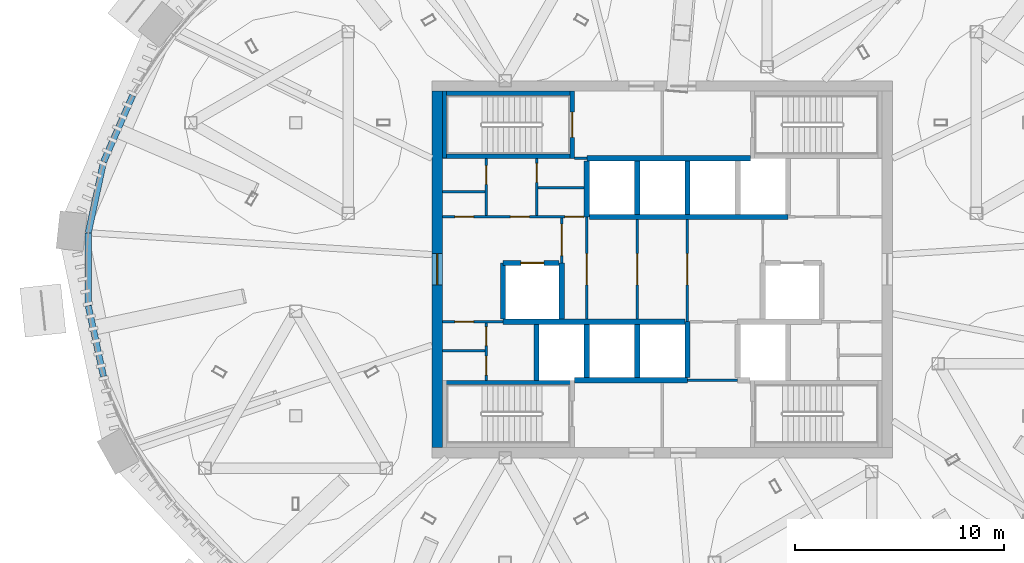
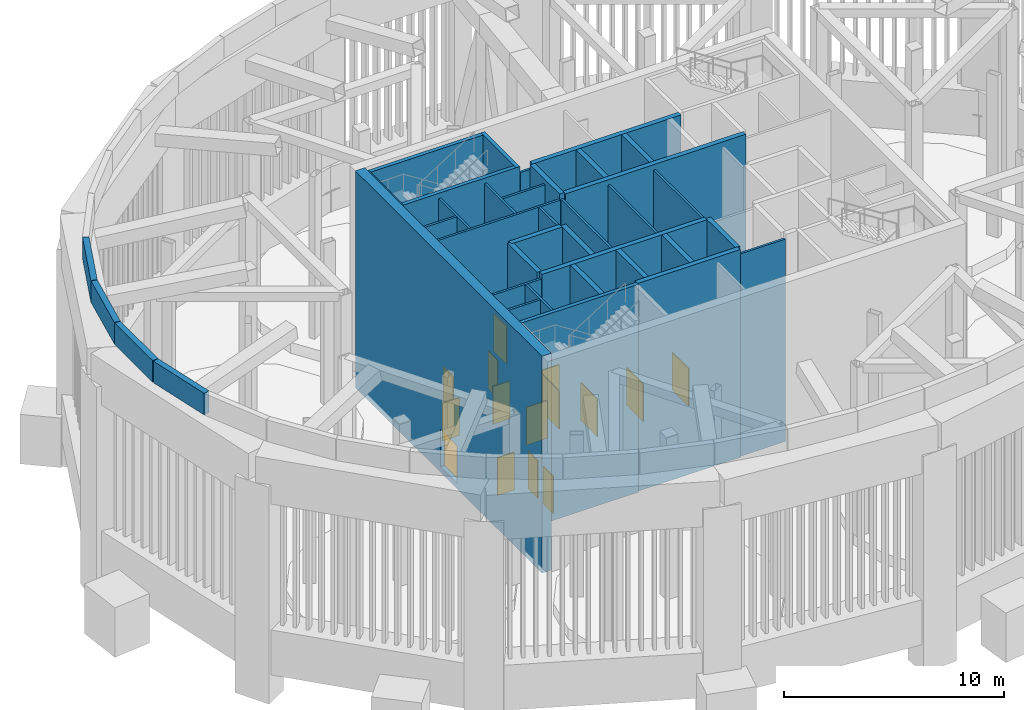
# One storey, part 7 of 14: 38 walls, 15 doors, 15 openings.
"""IFC4 building model written with IfcOpenShell, lengths in metres."""

import ifcopenshell
import ifcopenshell.guid

model = None  # the IFC model being written
_history = None  # IfcOwnerHistory: only IFC2X3 demands one
_inside = {}  # id of a spatial element -> (the spatial element, [elements in it])
_under = {}  # id of a project, library or spatial element -> (it, [spatial elements below it])
_declared = {}  # id of a project -> (the project, [libraries it declares])
_typed = {}  # id of a type object -> (the type object, [elements of that type])
_made_of = {}  # id of a material, layer set ... -> (it, [elements and type objects made of it])


def new_model(schema):
    """Start an empty IFC model of exactly this schema.

    Asked for "IFC4X3", IfcOpenShell would pick the latest addendum, in which some entities
    have other attributes; the version numbers below select the first issue.
    IFC2X3 requires an IfcOwnerHistory on every rooted entity: one is made here for all.
    """
    global model, _history
    if schema == "IFC4X3":
        model = ifcopenshell.file(schema_version=(4, 3, 0, 0))
    else:
        model = ifcopenshell.file(schema=schema)
    _inside.clear()
    _under.clear()
    _declared.clear()
    _typed.clear()
    _made_of.clear()
    _history = None
    if model.schema == "IFC2X3":
        org = make("IfcOrganization", Name="unknown")
        user = make(
            "IfcPersonAndOrganization",
            ThePerson=make("IfcPerson", FamilyName="unknown"),
            TheOrganization=org,
        )
        app = make(
            "IfcApplication",
            ApplicationDeveloper=org,
            Version="unknown",
            ApplicationFullName="unknown",
            ApplicationIdentifier="unknown",
        )
        _history = make(
            "IfcOwnerHistory",
            OwningUser=user,
            OwningApplication=app,
            ChangeAction="ADDED",
            CreationDate=0,
        )
    return model


def make(cls, **values):
    """One entity of the class cls with the attributes given. An attribute that is None is left unset."""
    return model.create_entity(
        cls, **{name: value for name, value in values.items() if value is not None}
    )


def rooted(cls, **values):
    """An entity with a GlobalId (a new one), such as an element, a storey or a relation."""
    return make(cls, GlobalId=ifcopenshell.guid.new(), OwnerHistory=_history, **values)


def si_unit(unit_type, name, prefix=None):
    """IfcSIUnit, for example si_unit("LENGTHUNIT", "METRE", prefix="MILLI")."""
    return make("IfcSIUnit", UnitType=unit_type, Prefix=prefix, Name=name)


def assignment(units):
    """IfcUnitAssignment: the units of a project."""
    return None if units is None else make("IfcUnitAssignment", Units=units)


def point(xyz):
    """IfcCartesianPoint."""
    return None if xyz is None else make("IfcCartesianPoint", Coordinates=xyz)


def direction(xyz):
    """IfcDirection."""
    return None if xyz is None else make("IfcDirection", DirectionRatios=xyz)


def frame(location, z_axis=None, x_axis=None):
    """IfcAxis2Placement3D, a coordinate frame: its origin and axes. An axis left out is left unset."""
    return make(
        "IfcAxis2Placement3D",
        Location=point(location),
        Axis=direction(z_axis),
        RefDirection=direction(x_axis),
    )


def frame_2d(location, x_axis=None):
    """IfcAxis2Placement2D, a coordinate frame in the plane: its origin and x axis."""
    return make(
        "IfcAxis2Placement2D", Location=point(location), RefDirection=direction(x_axis)
    )


def origin():
    """The frame at (0, 0, 0) with its axes left unset."""
    return frame((0.0, 0.0, 0.0))


def place(relative_to, where):
    """IfcLocalPlacement: puts the frame where relative to a parent placement (None: the world)."""
    return make(
        "IfcLocalPlacement", PlacementRelTo=relative_to, RelativePlacement=where
    )


def context(
    kind, dimensions, precision=None, world=None, true_north=None, identifier=None
):
    """IfcGeometricRepresentationContext, for example the 3D "Model" context."""
    return make(
        "IfcGeometricRepresentationContext",
        ContextIdentifier=identifier,
        ContextType=kind,
        CoordinateSpaceDimension=dimensions,
        Precision=precision,
        WorldCoordinateSystem=world,
        TrueNorth=true_north,
    )


def subcontext(parent, identifier, kind, view, scale=None):
    """IfcGeometricRepresentationSubContext, for example "Body" below "Model"."""
    return make(
        "IfcGeometricRepresentationSubContext",
        ContextIdentifier=identifier,
        ContextType=kind,
        ParentContext=parent,
        TargetScale=scale,
        TargetView=view,
    )


def project(units=None, contexts=None):
    """IfcProject with its units and contexts."""
    return rooted(
        "IfcProject",
        Name="project",
        RepresentationContexts=contexts,
        UnitsInContext=assignment(units),
    )


def spatial(cls, under=None, at=None, **own):
    """A site, building, storey or space (cls), placed at a placement, below another one or the project."""
    s = rooted(cls, ObjectPlacement=at, **own)
    if under is not None:
        _under.setdefault(under.id(), (under, []))[1].append(s)
    return s


def profile(cls, at=None, kind="AREA", **sizes):
    """A parametric profile (cls). Its sizes go by their IFC names, for example OverallWidth=200.0."""
    return make(cls, ProfileType=kind, Position=at, **sizes)


def rectangle(**sizes):
    """IfcRectangleProfileDef."""
    return profile("IfcRectangleProfileDef", **sizes)


def extrude(swept, where, along, depth):
    """IfcExtrudedAreaSolid: the profile swept, set in the frame where, extruded along a direction by depth."""
    return make(
        "IfcExtrudedAreaSolid",
        SweptArea=swept,
        Position=where,
        ExtrudedDirection=direction(along),
        Depth=depth,
    )


def shape(context_of_items, identifier, shape_type, items):
    """IfcShapeRepresentation: the items that make up one representation, for example the "Body"."""
    return make(
        "IfcShapeRepresentation",
        ContextOfItems=context_of_items,
        RepresentationIdentifier=identifier,
        RepresentationType=shape_type,
        Items=items,
    )


def source(mapping_origin, context_of_items, identifier, shape_type, items):
    """IfcRepresentationMap: a shape defined once, which mapped items show again and again."""
    return make(
        "IfcRepresentationMap",
        MappingOrigin=mapping_origin,
        MappedRepresentation=shape(context_of_items, identifier, shape_type, items),
    )


def transform(
    local_origin,
    x_axis=None,
    y_axis=None,
    z_axis=None,
    scale=None,
    scale2=None,
    scale3=None,
    uniform=True,
):
    """IfcCartesianTransformationOperator3D, or its non-uniform kind. x_axis, y_axis, z_axis: its Axis1, 2, 3."""
    if uniform:
        return make(
            "IfcCartesianTransformationOperator3D",
            Axis1=direction(x_axis),
            Axis2=direction(y_axis),
            LocalOrigin=point(local_origin),
            Scale=scale,
            Axis3=direction(z_axis),
        )
    return make(
        "IfcCartesianTransformationOperator3DnonUniform",
        Axis1=direction(x_axis),
        Axis2=direction(y_axis),
        LocalOrigin=point(local_origin),
        Scale=scale,
        Axis3=direction(z_axis),
        Scale2=scale2,
        Scale3=scale3,
    )


def mapped(mapping_source, mapping_target):
    """IfcMappedItem: shows the shape of a source again, moved by a transform."""
    return make(
        "IfcMappedItem", MappingSource=mapping_source, MappingTarget=mapping_target
    )


def material(Name=None, Category=None):
    """IfcMaterial."""
    return make("IfcMaterial", Name=Name, Category=Category)


def layer(
    of_material, thickness, ventilated=None, Name=None, Category=None, Priority=None
):
    """IfcMaterialLayer: one layer of a wall or slab, of a material (None: an air gap)."""
    return make(
        "IfcMaterialLayer",
        Material=of_material,
        LayerThickness=thickness,
        IsVentilated=ventilated,
        Name=Name,
        Category=Category,
        Priority=Priority,
    )


def layer_set(layers, Name=None):
    """IfcMaterialLayerSet."""
    return make("IfcMaterialLayerSet", MaterialLayers=layers, LayerSetName=Name)


def made_of(thing, what):
    """Note that an element or type object is made of a material, layer set ...; save() writes the relation."""
    if what is not None:
        _made_of.setdefault(what.id(), (what, []))[1].append(thing)
    return thing


def type_object(cls, material=None, **own):
    """A type object (cls), such as IfcWallType, which elements share."""
    return made_of(rooted(cls, **own), material)


def element(
    cls,
    number,
    at=None,
    inside=None,
    cuts=None,
    type_object=None,
    material=None,
    context=None,
    identifier="Body",
    shape_type=None,
    held_by="IfcProductDefinitionShape",
    body=None,
    shapes=None,
    **own,
):
    """One element of the class cls, such as IfcWall. Its Tag is "e" and its number.

    at: its placement. inside: the storey or other place that contains it. cuts: it is an
    opening in that element (IfcRelVoidsElement). A single representation is given by context,
    identifier, shape_type and body (its items); several are given by shapes. held_by: the class
    of the entity that holds the representations. save() writes the other relations.
    """
    e = rooted(cls, Tag="e%d" % number, ObjectPlacement=at, **own)
    if body is not None:
        shapes = [shape(context, identifier, shape_type, body)]
    if shapes is not None:
        e.Representation = make(held_by, Representations=shapes)
    if inside is not None:
        _inside.setdefault(inside.id(), (inside, []))[1].append(e)
    if cuts is not None:
        rooted(
            "IfcRelVoidsElement", RelatingBuildingElement=cuts, RelatedOpeningElement=e
        )
    if type_object is not None:
        _typed.setdefault(type_object.id(), (type_object, []))[1].append(e)
    return made_of(e, material)


def fill(opening, filler):
    """IfcRelFillsElement: the door or window that sits in an opening."""
    return rooted(
        "IfcRelFillsElement",
        RelatingOpeningElement=opening,
        RelatedBuildingElement=filler,
    )


def aggregate(whole, parts):
    """IfcRelAggregates: a whole, such as a stair, and the parts it consists of."""
    return rooted("IfcRelAggregates", RelatingObject=whole, RelatedObjects=parts)


def save(model, path):
    """Write the relations noted so far, then the file.

    IfcRelAggregates (storeys below a building ...), IfcRelContainedInSpatialStructure (elements
    in a storey), IfcRelDefinesByType, IfcRelAssociatesMaterial and IfcRelDeclares: one each for
    every whole, place, type object, material and project.
    """
    for whole, parts in _under.values():
        aggregate(whole, parts)
    for where, things in _inside.values():
        rooted(
            "IfcRelContainedInSpatialStructure",
            RelatedElements=things,
            RelatingStructure=where,
        )
    for kind, things in _typed.values():
        rooted("IfcRelDefinesByType", RelatedObjects=things, RelatingType=kind)
    for what, things in _made_of.values():
        rooted("IfcRelAssociatesMaterial", RelatedObjects=things, RelatingMaterial=what)
    for by, libraries in _declared.values():
        rooted("IfcRelDeclares", RelatingContext=by, RelatedDefinitions=libraries)
    model.write(path)


model = new_model("IFC4")

# Units and contexts
model_context = context("Model", 3, precision=1e-05, world=origin(), true_north=direction((0.0, 1.0)))
body_context = subcontext(model_context, "Body", "Model", "MODEL_VIEW")
ifc_project = project(units=[si_unit("LENGTHUNIT", "METRE"), si_unit("AREAUNIT", "SQUARE_METRE"), si_unit("VOLUMEUNIT", "CUBIC_METRE"), si_unit("PLANEANGLEUNIT", "RADIAN"), si_unit("MASSUNIT", "GRAM", prefix="KILO")], contexts=[model_context])

# Site, building, storey
site_placement = place(None, origin())
site = spatial("IfcSite", under=ifc_project, at=site_placement, CompositionType="ELEMENT")
building_placement = place(site_placement, origin())
building = spatial("IfcBuilding", under=site, at=building_placement, Name="Embergate Tower", CompositionType="ELEMENT")
storey_placement = place(building_placement, frame((0.0, 0.0, 340.0)))
storey = spatial("IfcBuildingStorey", under=building, at=storey_placement, Name="L79", CompositionType="ELEMENT", Elevation=340.0)

# Wall, opening, door
ifc_material_1 = material(Name="Concrete C50", Category="concrete")
ifc_layer_1 = layer(ifc_material_1, 0.5)
ifc_layer_set_1 = layer_set([ifc_layer_1], Name="Concrete C50")
wall_type_1 = type_object("IfcWallType", Name="Core outer wall C50 500", PredefinedType="SHEAR", material=ifc_layer_set_1)
shared_shape_1 = source(origin(), body_context, "Body", "SweptSolid", [
    extrude(rectangle(XDim=17.0, YDim=0.5, at=frame_2d((8.5, 0.0))), origin(), (0.0, 0.0, 1.0), 12.050048828125),
])
wall_1_placement = place(storey_placement, frame((-10.75, -8.5, -0.300048828125), z_axis=(0.0, 0.0, 1.0), x_axis=(0.0, 1.0, 0.0)))
wall_1 = element("IfcWall", 1, at=wall_1_placement, inside=storey, type_object=wall_type_1, Name="CW-L79-W", PredefinedType="SHEAR", context=body_context, shape_type="MappedRepresentation", body=[
    mapped(shared_shape_1, transform((0.0, 0.0, 0.0))),
])
shared_shape_2 = source(origin(), body_context, "Body", "SweptSolid", [
    extrude(rectangle(XDim=1.5, YDim=2.10009765625, at=frame_2d((0.75, 1.050048828125))), frame((0.0, 0.260009765625, 0.0), z_axis=(0.0, -1.0, 0.0), x_axis=(1.0, 0.0, 0.0)), (0.0, 0.0, 1.0), 0.52001953125),
])
opening_1_placement = place(wall_1_placement, frame((7.75, 0.0, 0.300048828125)))
opening_1 = element("IfcOpeningElement", 2, at=opening_1_placement, cuts=wall_1, Name="Opening IF-3", PredefinedType="OPENING", context=body_context, shape_type="MappedRepresentation", body=[
    mapped(shared_shape_2, transform((0.0, 0.0, 0.0))),
])
ifc_material_2 = material(Name="Lobby fire door pair 1500")
door_type_1 = type_object("IfcDoorType", Name="Lobby fire door pair 1500", OperationType="DOUBLE_DOOR_SINGLE_SWING", PredefinedType="DOOR", material=ifc_material_2)
shared_shape_3 = source(origin(), body_context, "Body", "SweptSolid", [
    extrude(rectangle(XDim=1.5, YDim=2.10009765625, at=frame_2d((0.75, 1.050048828125))), frame((0.0, 0.02490234375, 0.0), z_axis=(0.0, -1.0, 0.0), x_axis=(1.0, 0.0, 0.0)), (0.0, 0.0, 1.0), 0.050048828125),
])
door_1_placement = place(opening_1_placement, origin())
door_1 = element("IfcDoor", 3, at=door_1_placement, inside=storey, type_object=door_type_1, Name="IF-3 door", OperationType="DOUBLE_DOOR_SINGLE_SWING", OverallHeight=2.10009765625, OverallWidth=1.5, PredefinedType="DOOR", context=body_context, shape_type="MappedRepresentation", body=[
    mapped(shared_shape_3, transform((0.0, 0.0, 0.0))),
])
fill(opening_1, door_1)

# Walls
ifc_material_3 = material(Name="Brick masonry with terracotta coping", Category="masonry")
ifc_layer_2 = layer(ifc_material_3, 0.300048828125)
ifc_layer_set_2 = layer_set([ifc_layer_2], Name="Brick masonry with terracotta coping")
wall_type_2 = type_object("IfcWallType", Name="Roof edge parapet", PredefinedType="PARAPET", material=ifc_layer_set_2)
shared_shape_4 = source(origin(), body_context, "Body", "SweptSolid", [
    extrude(rectangle(XDim=3.449462890625, YDim=0.300048828125, at=frame_2d((1.724609375, 0.0))), origin(), (0.0, 0.0, 1.0), 1.199951171875),
])
for number, where, z_axis, x_axis, name in (
    (4, (-26.675048828125, 5.1162109375, 12.0), (0.0, 0.0, 1.0), (-0.21041351553, -0.977612475617, 0.0), "Roof edge parapet 21"),
    (5, (-27.40087890625, -1.743896484375, 12.0), (0.0, 0.0, 1.0), (0.21041351553, -0.977612475617, 0.0), "Roof edge parapet 23"),
):
    element("IfcWall", number, at=place(storey_placement, frame(where, z_axis=z_axis, x_axis=x_axis)), inside=storey, type_object=wall_type_2, Name=name, PredefinedType="PARAPET", context=body_context, shape_type="MappedRepresentation", body=[
        mapped(shared_shape_4, transform((0.0, 0.0, 0.0))),
    ])
shared_shape_5 = source(origin(), body_context, "Body", "SweptSolid", [
    extrude(rectangle(XDim=3.453369140625, YDim=0.300048828125, at=frame_2d((1.7265625, 0.0))), origin(), (0.0, 0.0, 1.0), 1.199951171875),
])
wall_2_placement = place(storey_placement, frame((-25.281982421875, 8.2978515625, 12.0), z_axis=(0.0, 0.0, 1.0), x_axis=(-0.401627168465, -0.915803263562, 0.0)))
element("IfcWall", 6, at=wall_2_placement, inside=storey, type_object=wall_type_2, Name="Roof edge parapet 20", PredefinedType="PARAPET", context=body_context, shape_type="MappedRepresentation", body=[
    mapped(shared_shape_5, transform((0.0, 0.0, 0.0))),
])
shared_shape_6 = source(origin(), body_context, "Body", "SweptSolid", [
    extrude(rectangle(XDim=3.4482421875, YDim=0.300048828125, at=frame_2d((1.72412109375, 0.0))), origin(), (0.0, 0.0, 1.0), 1.199951171875),
])
wall_3_placement = place(storey_placement, frame((-27.403076171875, 1.72412109375, 12.0), z_axis=(0.0, 0.0, 1.0), x_axis=(0.0, -1.0, 0.0)))
element("IfcWall", 7, at=wall_3_placement, inside=storey, type_object=wall_type_2, Name="Roof edge parapet 22", PredefinedType="PARAPET", context=body_context, shape_type="MappedRepresentation", body=[
    mapped(shared_shape_6, transform((0.0, 0.0, 0.0))),
])

# Wall, openings, doors
ifc_material_4 = material(Name="Core partition blockwork 120")
ifc_layer_3 = layer(ifc_material_4, 0.1201171875)
ifc_layer_set_3 = layer_set([ifc_layer_3], Name="Core partition blockwork 120")
wall_type_3 = type_object("IfcWallType", Name="Core partition blockwork 120", PredefinedType="PARTITIONING", material=ifc_layer_set_3)
shared_shape_7 = source(origin(), body_context, "Body", "SweptSolid", [
    extrude(rectangle(XDim=6.77490234375, YDim=0.1201171875, at=frame_2d((3.387451171875, 0.0))), origin(), (0.0, 0.0, 1.0), 11.25),
])
wall_4_placement = place(storey_placement, frame((-10.5, 2.5, 0.0), z_axis=(0.0, 0.0, 1.0), x_axis=(1.0, 0.0, 0.0)))
wall_4 = element("IfcWall", 8, at=wall_4_placement, inside=storey, type_object=wall_type_3, Name="IP-3 wall", PredefinedType="PARTITIONING", context=body_context, shape_type="MappedRepresentation", body=[
    mapped(shared_shape_7, transform((0.0, 0.0, 0.0))),
])
shared_shape_8 = source(origin(), body_context, "Body", "SweptSolid", [
    extrude(rectangle(XDim=0.89990234375, YDim=2.10009765625, at=frame_2d((0.449951171875, 1.050048828125))), frame((0.0, 0.070068359375, 0.0), z_axis=(0.0, -1.0, 0.0), x_axis=(1.0, 0.0, 0.0)), (0.0, 0.0, 1.0), 0.14013671875),
])
opening_2_placement = place(wall_4_placement, frame((3.25, 0.0, 0.0)))
opening_2 = element("IfcOpeningElement", 9, at=opening_2_placement, cuts=wall_4, Name="Opening ID-1", PredefinedType="OPENING", context=body_context, shape_type="MappedRepresentation", body=[
    mapped(shared_shape_8, transform((0.0, 0.0, 0.0))),
])
opening_3_placement = place(wall_4_placement, frame((5.85009765625, 0.0, 0.0)))
opening_3 = element("IfcOpeningElement", 10, at=opening_3_placement, cuts=wall_4, Name="Opening ID-1", PredefinedType="OPENING", context=body_context, shape_type="MappedRepresentation", body=[
    mapped(shared_shape_8, transform((0.0, 0.0, 0.0))),
])
opening_4_placement = place(wall_4_placement, frame((0.60009765625, 0.0, 0.0)))
opening_4 = element("IfcOpeningElement", 11, at=opening_4_placement, cuts=wall_4, Name="Opening ID-1", PredefinedType="OPENING", context=body_context, shape_type="MappedRepresentation", body=[
    mapped(shared_shape_8, transform((0.0, 0.0, 0.0))),
])
ifc_material_5 = material(Name="Interior door 900")
door_type_2 = type_object("IfcDoorType", Name="Interior door 900", OperationType="SINGLE_SWING_LEFT", PredefinedType="DOOR", material=ifc_material_5)
shared_shape_9 = source(origin(), body_context, "Body", "SweptSolid", [
    extrude(rectangle(XDim=0.89990234375, YDim=2.10009765625, at=frame_2d((0.449951171875, 1.050048828125))), frame((0.0, 0.02490234375, 0.0), z_axis=(0.0, -1.0, 0.0), x_axis=(1.0, 0.0, 0.0)), (0.0, 0.0, 1.0), 0.050048828125),
])
door_2_placement = place(opening_2_placement, origin())
door_2 = element("IfcDoor", 12, at=door_2_placement, inside=storey, type_object=door_type_2, Name="ID-1 door", OperationType="SINGLE_SWING_RIGHT", OverallHeight=2.10009765625, OverallWidth=0.89990234375, PredefinedType="DOOR", context=body_context, shape_type="MappedRepresentation", body=[
    mapped(shared_shape_9, transform((0.0, 0.0, 0.0))),
])
fill(opening_2, door_2)
door_3_placement = place(opening_3_placement, origin())
door_3 = element("IfcDoor", 13, at=door_3_placement, inside=storey, type_object=door_type_2, Name="ID-1 door", OperationType="SINGLE_SWING_LEFT", OverallHeight=2.10009765625, OverallWidth=0.89990234375, PredefinedType="DOOR", context=body_context, shape_type="MappedRepresentation", body=[
    mapped(shared_shape_9, transform((0.0, 0.0, 0.0))),
])
fill(opening_3, door_3)
door_4_placement = place(opening_4_placement, origin())
door_4 = element("IfcDoor", 14, at=door_4_placement, inside=storey, type_object=door_type_2, Name="ID-1 door", OperationType="SINGLE_SWING_LEFT", OverallHeight=2.10009765625, OverallWidth=0.89990234375, PredefinedType="DOOR", context=body_context, shape_type="MappedRepresentation", body=[
    mapped(shared_shape_9, transform((0.0, 0.0, 0.0))),
])
fill(opening_4, door_4)

# Walls
ifc_layer_4 = layer(ifc_material_1, 0.199951171875)
ifc_layer_set_4 = layer_set([ifc_layer_4], Name="Concrete C50")
wall_type_4 = type_object("IfcWallType", Name="Stair enclosure wall reinforced concrete 250", PredefinedType="SHEAR", material=ifc_layer_set_4)
shared_shape_10 = source(origin(), body_context, "Body", "SweptSolid", [
    extrude(rectangle(XDim=6.300048828125, YDim=0.199951171875, at=frame_2d((3.14990234375, 0.0))), origin(), (0.0, 0.0, 1.0), 11.550048828125),
])
for number, where, z_axis, x_axis, name in (
    (15, (-4.199951171875, 5.39990234375, 0.0), (0.0, 0.0, 1.0), (-1.0, 0.0, 0.0), "SE-1 wall"),
    (16, (-10.5, -5.39990234375, 0.0), (0.0, 0.0, 1.0), (1.0, 0.0, 0.0), "SE-1 wall"),
):
    element("IfcWall", number, at=place(storey_placement, frame(where, z_axis=z_axis, x_axis=x_axis)), inside=storey, type_object=wall_type_4, Name=name, PredefinedType="SHEAR", context=body_context, shape_type="MappedRepresentation", body=[
        mapped(shared_shape_10, transform((0.0, 0.0, 0.0))),
    ])

# Wall, opening, door
shared_shape_11 = source(origin(), body_context, "Body", "SweptSolid", [
    extrude(rectangle(XDim=2.739990234375, YDim=0.1201171875, at=frame_2d((1.3701171875, 0.0))), origin(), (0.0, 0.0, 1.0), 11.25),
])
wall_5_placement = place(storey_placement, frame((-6.0, 2.56005859375, 0.0), z_axis=(0.0, 0.0, 1.0), x_axis=(0.0, 1.0, 0.0)))
wall_5 = element("IfcWall", 17, at=wall_5_placement, inside=storey, type_object=wall_type_3, Name="IP-3 wall", PredefinedType="PARTITIONING", context=body_context, shape_type="MappedRepresentation", body=[
    mapped(shared_shape_11, transform((0.0, 0.0, 0.0))),
])
opening_5_placement = place(wall_5_placement, frame((1.590087890625, 0.0, 0.0)))
opening_5 = element("IfcOpeningElement", 18, at=opening_5_placement, cuts=wall_5, Name="Opening ID-1", PredefinedType="OPENING", context=body_context, shape_type="MappedRepresentation", body=[
    mapped(shared_shape_8, transform((0.0, 0.0, 0.0))),
])
door_5_placement = place(opening_5_placement, origin())
door_5 = element("IfcDoor", 19, at=door_5_placement, inside=storey, type_object=door_type_2, Name="ID-1 door", OperationType="SINGLE_SWING_LEFT", OverallHeight=2.10009765625, OverallWidth=0.89990234375, PredefinedType="DOOR", context=body_context, shape_type="MappedRepresentation", body=[
    mapped(shared_shape_9, transform((0.0, 0.0, 0.0))),
])
fill(opening_5, door_5)

wall_6_placement = place(storey_placement, frame((-8.39990234375, 5.300048828125, 0.0), z_axis=(0.0, 0.0, 1.0), x_axis=(0.0, -1.0, 0.0)))
wall_6 = element("IfcWall", 20, at=wall_6_placement, inside=storey, type_object=wall_type_3, Name="IP-3 wall", PredefinedType="PARTITIONING", context=body_context, shape_type="MappedRepresentation", body=[
    mapped(shared_shape_11, transform((0.0, 0.0, 0.0))),
])
opening_6_placement = place(wall_6_placement, frame((0.347900390625, 0.0, 0.0)))
opening_6 = element("IfcOpeningElement", 21, at=opening_6_placement, cuts=wall_6, Name="Opening ID-1", PredefinedType="OPENING", context=body_context, shape_type="MappedRepresentation", body=[
    mapped(shared_shape_8, transform((0.0, 0.0, 0.0))),
])
door_6_placement = place(opening_6_placement, origin())
door_6 = element("IfcDoor", 22, at=door_6_placement, inside=storey, type_object=door_type_2, Name="ID-1 door", OperationType="SINGLE_SWING_RIGHT", OverallHeight=2.10009765625, OverallWidth=0.89990234375, PredefinedType="DOOR", context=body_context, shape_type="MappedRepresentation", body=[
    mapped(shared_shape_9, transform((0.0, 0.0, 0.0))),
])
fill(opening_6, door_6)

# Wall, openings, doors
wall_7_placement = place(storey_placement, frame((-8.39990234375, -2.56005859375, 0.0), z_axis=(0.0, 0.0, 1.0), x_axis=(0.0, -1.0, 0.0)))
wall_7 = element("IfcWall", 23, at=wall_7_placement, inside=storey, type_object=wall_type_3, Name="IP-3 wall", PredefinedType="PARTITIONING", context=body_context, shape_type="MappedRepresentation", body=[
    mapped(shared_shape_11, transform((0.0, 0.0, 0.0))),
])
opening_7_placement = place(wall_7_placement, frame((0.18994140625, 0.0, 0.0)))
opening_7 = element("IfcOpeningElement", 24, at=opening_7_placement, cuts=wall_7, Name="Opening ID-1", PredefinedType="OPENING", context=body_context, shape_type="MappedRepresentation", body=[
    mapped(shared_shape_8, transform((0.0, 0.0, 0.0))),
])
opening_8_placement = place(wall_7_placement, frame((1.590087890625, 0.0, 0.0)))
opening_8 = element("IfcOpeningElement", 25, at=opening_8_placement, cuts=wall_7, Name="Opening ID-1", PredefinedType="OPENING", context=body_context, shape_type="MappedRepresentation", body=[
    mapped(shared_shape_8, transform((0.0, 0.0, 0.0))),
])
door_7_placement = place(opening_7_placement, origin())
door_7 = element("IfcDoor", 26, at=door_7_placement, inside=storey, type_object=door_type_2, Name="ID-1 door", OperationType="SINGLE_SWING_RIGHT", OverallHeight=2.10009765625, OverallWidth=0.89990234375, PredefinedType="DOOR", context=body_context, shape_type="MappedRepresentation", body=[
    mapped(shared_shape_9, transform((0.0, 0.0, 0.0))),
])
fill(opening_7, door_7)
door_8_placement = place(opening_8_placement, origin())
door_8 = element("IfcDoor", 27, at=door_8_placement, inside=storey, type_object=door_type_2, Name="ID-1 door", OperationType="SINGLE_SWING_RIGHT", OverallHeight=2.10009765625, OverallWidth=0.89990234375, PredefinedType="DOOR", context=body_context, shape_type="MappedRepresentation", body=[
    mapped(shared_shape_9, transform((0.0, 0.0, 0.0))),
])
fill(opening_8, door_8)

# Walls
ifc_layer_5 = layer(ifc_material_1, 0.25)
ifc_layer_set_5 = layer_set([ifc_layer_5], Name="Concrete C50")
wall_type_5 = type_object("IfcWallType", Name="Hoistway wall reinforced concrete 250", PredefinedType="SHEAR", material=ifc_layer_set_5)
shared_shape_12 = source(origin(), body_context, "Body", "SweptSolid", [
    extrude(rectangle(XDim=2.550048828125, YDim=0.25, at=frame_2d((1.27490234375, 0.0))), origin(), (0.0, 0.0, 1.0), 11.550048828125),
])
for number, where, z_axis, x_axis, name in (
    (28, (-1.199951171875, 2.625, 0.0), (0.0, 0.0, 1.0), (0.0, 1.0, 0.0), "HW-1 wall"),
    (29, (1.199951171875, 2.625, 0.0), (0.0, 0.0, 1.0), (0.0, 1.0, 0.0), "HW-1 wall"),
    (30, (-3.60009765625, -5.175048828125, 0.0), (0.0, 0.0, 1.0), (0.0, 1.0, 0.0), "HW-1 wall"),
    (31, (-1.199951171875, -5.175048828125, 0.0), (0.0, 0.0, 1.0), (0.0, 1.0, 0.0), "HW-1 wall"),
):
    element("IfcWall", number, at=place(storey_placement, frame(where, z_axis=z_axis, x_axis=x_axis)), inside=storey, type_object=wall_type_5, Name=name, PredefinedType="SHEAR", context=body_context, shape_type="MappedRepresentation", body=[
        mapped(shared_shape_12, transform((0.0, 0.0, 0.0))),
    ])
shared_shape_13 = source(origin(), body_context, "Body", "SweptSolid", [
    extrude(rectangle(XDim=9.47509765625, YDim=0.25, at=frame_2d((4.737548828125, 0.0))), origin(), (0.0, 0.0, 1.0), 11.550048828125),
])
wall_8_placement = place(storey_placement, frame((-3.47509765625, 2.5, 0.0), z_axis=(0.0, 0.0, 1.0), x_axis=(1.0, 0.0, 0.0)))
element("IfcWall", 32, at=wall_8_placement, inside=storey, type_object=wall_type_5, Name="HW-1 wall", PredefinedType="SHEAR", context=body_context, shape_type="MappedRepresentation", body=[
    mapped(shared_shape_13, transform((0.0, 0.0, 0.0))),
])
shared_shape_14 = source(origin(), body_context, "Body", "SweptSolid", [
    extrude(rectangle(XDim=7.800048828125, YDim=0.25, at=frame_2d((3.89990234375, 0.0))), origin(), (0.0, 0.0, 1.0), 11.550048828125),
])
wall_9_placement = place(storey_placement, frame((4.199951171875, 5.300048828125, 0.0), z_axis=(0.0, 0.0, 1.0), x_axis=(-1.0, 0.0, 0.0)))
element("IfcWall", 33, at=wall_9_placement, inside=storey, type_object=wall_type_5, Name="HW-1 wall", PredefinedType="SHEAR", context=body_context, shape_type="MappedRepresentation", body=[
    mapped(shared_shape_14, transform((0.0, 0.0, 0.0))),
])
shared_shape_15 = source(origin(), body_context, "Body", "SweptSolid", [
    extrude(rectangle(XDim=2.675048828125, YDim=0.25, at=frame_2d((1.33740234375, 0.0))), origin(), (0.0, 0.0, 1.0), 11.550048828125),
])
for number, where, z_axis, x_axis, name in (
    (34, (-3.60009765625, 5.175048828125, 0.0), (0.0, 0.0, 1.0), (0.0, -1.0, 0.0), "HW-1 wall"),
    (35, (-6.0, -5.300048828125, 0.0), (0.0, 0.0, 1.0), (0.0, 1.0, 0.0), "HW-1 wall"),
    (36, (1.199951171875, -5.175048828125, 0.0), (0.0, 0.0, 1.0), (0.0, 1.0, 0.0), "HW-1 wall"),
    (37, (-4.800048828125, 0.300048828125, 0.0), (0.0, 0.0, 1.0), (0.0, -1.0, 0.0), "HW-1 wall"),
):
    element("IfcWall", number, at=place(storey_placement, frame(where, z_axis=z_axis, x_axis=x_axis)), inside=storey, type_object=wall_type_5, Name=name, PredefinedType="SHEAR", context=body_context, shape_type="MappedRepresentation", body=[
        mapped(shared_shape_15, transform((0.0, 0.0, 0.0))),
    ])

# Wall, opening, door
wall_10_placement = place(storey_placement, frame((-4.925048828125, 0.300048828125, 0.0), z_axis=(0.0, 0.0, 1.0), x_axis=(-1.0, 0.0, 0.0)))
wall_10 = element("IfcWall", 38, at=wall_10_placement, inside=storey, type_object=wall_type_5, Name="HW-1 wall", PredefinedType="SHEAR", context=body_context, shape_type="MappedRepresentation", body=[
    mapped(shared_shape_15, transform((0.0, 0.0, 0.0))),
])
shared_shape_16 = source(origin(), body_context, "Body", "SweptSolid", [
    extrude(rectangle(XDim=1.10009765625, YDim=2.10009765625, at=frame_2d((0.550048828125, 1.050048828125))), frame((0.0, 0.135009765625, 0.0), z_axis=(0.0, -1.0, 0.0), x_axis=(1.0, 0.0, 0.0)), (0.0, 0.0, 1.0), 0.27001953125),
])
opening_9_placement = place(wall_10_placement, frame((0.72509765625, 0.0, 0.0)))
opening_9 = element("IfcOpeningElement", 39, at=opening_9_placement, cuts=wall_10, Name="Opening LD", PredefinedType="OPENING", context=body_context, shape_type="MappedRepresentation", body=[
    mapped(shared_shape_16, transform((0.0, 0.0, 0.0))),
])
ifc_material_6 = material(Name="Landing door sliding 1100")
door_type_3 = type_object("IfcDoorType", Name="Landing door sliding 1100", OperationType="SLIDING_TO_LEFT", PredefinedType="DOOR", material=ifc_material_6)
shared_shape_17 = source(origin(), body_context, "Body", "SweptSolid", [
    extrude(rectangle(XDim=1.10009765625, YDim=2.10009765625, at=frame_2d((0.550048828125, 1.050048828125))), frame((0.0, 0.02490234375, 0.0), z_axis=(0.0, -1.0, 0.0), x_axis=(1.0, 0.0, 0.0)), (0.0, 0.0, 1.0), 0.050048828125),
])
door_9_placement = place(opening_9_placement, origin())
door_9 = element("IfcDoor", 40, at=door_9_placement, inside=storey, type_object=door_type_3, Name="LD door", OperationType="SLIDING_TO_LEFT", OverallHeight=2.10009765625, OverallWidth=1.10009765625, PredefinedType="DOOR", context=body_context, shape_type="MappedRepresentation", body=[
    mapped(shared_shape_17, transform((0.0, 0.0, 0.0))),
])
fill(opening_9, door_9)

# Walls
wall_11_placement = place(storey_placement, frame((-7.60009765625, 0.300048828125, 0.0), z_axis=(0.0, 0.0, 1.0), x_axis=(0.0, -1.0, 0.0)))
element("IfcWall", 41, at=wall_11_placement, inside=storey, type_object=wall_type_5, Name="HW-1 wall", PredefinedType="SHEAR", context=body_context, shape_type="MappedRepresentation", body=[
    mapped(shared_shape_15, transform((0.0, 0.0, 0.0))),
])
shared_shape_18 = source(origin(), body_context, "Body", "SweptSolid", [
    extrude(rectangle(XDim=8.675048828125, YDim=0.25, at=frame_2d((4.33740234375, 0.0))), origin(), (0.0, 0.0, 1.0), 11.550048828125),
])
wall_12_placement = place(storey_placement, frame((1.074951171875, -2.5, 0.0), z_axis=(0.0, 0.0, 1.0), x_axis=(-1.0, 0.0, 0.0)))
element("IfcWall", 42, at=wall_12_placement, inside=storey, type_object=wall_type_5, Name="HW-1 wall", PredefinedType="SHEAR", context=body_context, shape_type="MappedRepresentation", body=[
    mapped(shared_shape_18, transform((0.0, 0.0, 0.0))),
])

# Wall, opening, door
shared_shape_19 = source(origin(), body_context, "Body", "SweptSolid", [
    extrude(rectangle(XDim=2.89990234375, YDim=0.1201171875, at=frame_2d((1.449951171875, 0.0))), origin(), (0.0, 0.0, 1.0), 11.25),
])
wall_13_placement = place(storey_placement, frame((-7.60009765625, -2.5, 0.0), z_axis=(0.0, 0.0, 1.0), x_axis=(-1.0, 0.0, 0.0)))
wall_13 = element("IfcWall", 43, at=wall_13_placement, inside=storey, type_object=wall_type_3, Name="IP-3 wall", PredefinedType="PARTITIONING", context=body_context, shape_type="MappedRepresentation", body=[
    mapped(shared_shape_19, transform((0.0, 0.0, 0.0))),
])
opening_10_placement = place(wall_13_placement, frame((1.39990234375, 0.0, 0.0)))
opening_10 = element("IfcOpeningElement", 44, at=opening_10_placement, cuts=wall_13, Name="Opening ID-1", PredefinedType="OPENING", context=body_context, shape_type="MappedRepresentation", body=[
    mapped(shared_shape_8, transform((0.0, 0.0, 0.0))),
])
door_10_placement = place(opening_10_placement, origin())
door_10 = element("IfcDoor", 45, at=door_10_placement, inside=storey, type_object=door_type_2, Name="ID-1 door", OperationType="SINGLE_SWING_RIGHT", OverallHeight=2.10009765625, OverallWidth=0.89990234375, PredefinedType="DOOR", context=body_context, shape_type="MappedRepresentation", body=[
    mapped(shared_shape_9, transform((0.0, 0.0, 0.0))),
])
fill(opening_10, door_10)

# Wall
shared_shape_20 = source(origin(), body_context, "Body", "SweptSolid", [
    extrude(rectangle(XDim=5.39990234375, YDim=0.25, at=frame_2d((2.699951171875, 0.0))), origin(), (0.0, 0.0, 1.0), 11.550048828125),
])
wall_14_placement = place(storey_placement, frame((-4.199951171875, -5.300048828125, 0.0), z_axis=(0.0, 0.0, 1.0), x_axis=(1.0, 0.0, 0.0)))
element("IfcWall", 46, at=wall_14_placement, inside=storey, type_object=wall_type_5, Name="HW-1 wall", PredefinedType="SHEAR", context=body_context, shape_type="MappedRepresentation", body=[
    mapped(shared_shape_20, transform((0.0, 0.0, 0.0))),
])

# Wall, opening, door
shared_shape_21 = source(origin(), body_context, "Body", "SweptSolid", [
    extrude(rectangle(XDim=4.875, YDim=0.1201171875, at=frame_2d((2.4375, 0.0))), origin(), (0.0, 0.0, 1.0), 11.25),
])
wall_15_placement = place(storey_placement, frame((-3.60009765625, -2.375, 0.0), z_axis=(0.0, 0.0, 1.0), x_axis=(0.0, 1.0, 0.0)))
wall_15 = element("IfcWall", 47, at=wall_15_placement, inside=storey, type_object=wall_type_3, Name="IP-3 wall", PredefinedType="PARTITIONING", context=body_context, shape_type="MappedRepresentation", body=[
    mapped(shared_shape_21, transform((0.0, 0.0, 0.0))),
])
shared_shape_22 = source(origin(), body_context, "Body", "SweptSolid", [
    extrude(rectangle(XDim=1.5, YDim=2.10009765625, at=frame_2d((0.75, 1.050048828125))), frame((0.0, 0.070068359375, 0.0), z_axis=(0.0, -1.0, 0.0), x_axis=(1.0, 0.0, 0.0)), (0.0, 0.0, 1.0), 0.14013671875),
])
opening_11_placement = place(wall_15_placement, frame((1.625, 0.0, 0.0)))
opening_11 = element("IfcOpeningElement", 48, at=opening_11_placement, cuts=wall_15, Name="Opening IF-3", PredefinedType="OPENING", context=body_context, shape_type="MappedRepresentation", body=[
    mapped(shared_shape_22, transform((0.0, 0.0, 0.0))),
])
door_11_placement = place(opening_11_placement, origin())
door_11 = element("IfcDoor", 49, at=door_11_placement, inside=storey, type_object=door_type_1, Name="IF-3 door", OperationType="DOUBLE_DOOR_SINGLE_SWING", OverallHeight=2.10009765625, OverallWidth=1.5, PredefinedType="DOOR", context=body_context, shape_type="MappedRepresentation", body=[
    mapped(shared_shape_3, transform((0.0, 0.0, 0.0))),
])
fill(opening_11, door_11)

wall_16_placement = place(storey_placement, frame((1.199951171875, -2.5, 0.0), z_axis=(0.0, 0.0, 1.0), x_axis=(0.0, 1.0, 0.0)))
wall_16 = element("IfcWall", 50, at=wall_16_placement, inside=storey, type_object=wall_type_3, Name="IP-3 wall", PredefinedType="PARTITIONING", context=body_context, shape_type="MappedRepresentation", body=[
    mapped(shared_shape_21, transform((0.0, 0.0, 0.0))),
])
opening_12_placement = place(wall_16_placement, frame((1.75, 0.0, 0.0)))
opening_12 = element("IfcOpeningElement", 51, at=opening_12_placement, cuts=wall_16, Name="Opening IF-3", PredefinedType="OPENING", context=body_context, shape_type="MappedRepresentation", body=[
    mapped(shared_shape_22, transform((0.0, 0.0, 0.0))),
])
door_12_placement = place(opening_12_placement, origin())
door_12 = element("IfcDoor", 52, at=door_12_placement, inside=storey, type_object=door_type_1, Name="IF-3 door", OperationType="DOUBLE_DOOR_SINGLE_SWING", OverallHeight=2.10009765625, OverallWidth=1.5, PredefinedType="DOOR", context=body_context, shape_type="MappedRepresentation", body=[
    mapped(shared_shape_3, transform((0.0, 0.0, 0.0))),
])
fill(opening_12, door_12)

shared_shape_23 = source(origin(), body_context, "Body", "SweptSolid", [
    extrude(rectangle(XDim=2.139892578125, YDim=0.1201171875, at=frame_2d((1.06982421875, 0.0))), origin(), (0.0, 0.0, 1.0), 11.25),
])
wall_17_placement = place(storey_placement, frame((-4.800048828125, 2.43994140625, 0.0), z_axis=(0.0, 0.0, 1.0), x_axis=(0.0, -1.0, 0.0)))
wall_17 = element("IfcWall", 53, at=wall_17_placement, inside=storey, type_object=wall_type_3, Name="IP-3 wall", PredefinedType="PARTITIONING", context=body_context, shape_type="MappedRepresentation", body=[
    mapped(shared_shape_23, transform((0.0, 0.0, 0.0))),
])
opening_13_placement = place(wall_17_placement, frame((0.2900390625, 0.0, 0.0)))
opening_13 = element("IfcOpeningElement", 54, at=opening_13_placement, cuts=wall_17, Name="Opening IF-3", PredefinedType="OPENING", context=body_context, shape_type="MappedRepresentation", body=[
    mapped(shared_shape_22, transform((0.0, 0.0, 0.0))),
])
door_13_placement = place(opening_13_placement, origin())
door_13 = element("IfcDoor", 55, at=door_13_placement, inside=storey, type_object=door_type_1, Name="IF-3 door", OperationType="DOUBLE_DOOR_SINGLE_SWING", OverallHeight=2.10009765625, OverallWidth=1.5, PredefinedType="DOOR", context=body_context, shape_type="MappedRepresentation", body=[
    mapped(shared_shape_3, transform((0.0, 0.0, 0.0))),
])
fill(opening_13, door_13)

shared_shape_24 = source(origin(), body_context, "Body", "SweptSolid", [
    extrude(rectangle(XDim=4.75, YDim=0.1201171875, at=frame_2d((2.375, 0.0))), origin(), (0.0, 0.0, 1.0), 11.25),
])
wall_18_placement = place(storey_placement, frame((-1.199951171875, -2.375, 0.0), z_axis=(0.0, 0.0, 1.0), x_axis=(0.0, 1.0, 0.0)))
wall_18 = element("IfcWall", 56, at=wall_18_placement, inside=storey, type_object=wall_type_3, Name="IP-3 wall", PredefinedType="PARTITIONING", context=body_context, shape_type="MappedRepresentation", body=[
    mapped(shared_shape_24, transform((0.0, 0.0, 0.0))),
])
opening_14_placement = place(wall_18_placement, frame((1.625, 0.0, 0.0)))
opening_14 = element("IfcOpeningElement", 57, at=opening_14_placement, cuts=wall_18, Name="Opening IF-3", PredefinedType="OPENING", context=body_context, shape_type="MappedRepresentation", body=[
    mapped(shared_shape_22, transform((0.0, 0.0, 0.0))),
])
door_14_placement = place(opening_14_placement, origin())
door_14 = element("IfcDoor", 58, at=door_14_placement, inside=storey, type_object=door_type_1, Name="IF-3 door", OperationType="DOUBLE_DOOR_SINGLE_SWING", OverallHeight=2.10009765625, OverallWidth=1.5, PredefinedType="DOOR", context=body_context, shape_type="MappedRepresentation", body=[
    mapped(shared_shape_3, transform((0.0, 0.0, 0.0))),
])
fill(opening_14, door_14)

shared_shape_25 = source(origin(), body_context, "Body", "SweptSolid", [
    extrude(rectangle(XDim=3.199951171875, YDim=0.199951171875, at=frame_2d((1.60009765625, 0.0))), origin(), (0.0, 0.0, 1.0), 11.550048828125),
])
wall_19_placement = place(storey_placement, frame((-4.300048828125, 5.300048828125, 0.0), z_axis=(0.0, 0.0, 1.0), x_axis=(0.0, 1.0, 0.0)))
wall_19 = element("IfcWall", 59, at=wall_19_placement, inside=storey, type_object=wall_type_4, Name="SE-1 wall", PredefinedType="SHEAR", context=body_context, shape_type="MappedRepresentation", body=[
    mapped(shared_shape_25, transform((0.0, 0.0, 0.0))),
])
shared_shape_26 = source(origin(), body_context, "Body", "SweptSolid", [
    extrude(rectangle(XDim=1.199951171875, YDim=2.10009765625, at=frame_2d((0.60009765625, 1.050048828125))), frame((0.0, 0.10986328125, 0.0), z_axis=(0.0, -1.0, 0.0), x_axis=(1.0, 0.0, 0.0)), (0.0, 0.0, 1.0), 0.219970703125),
])
opening_15_placement = place(wall_19_placement, frame((1.0, 0.0, 0.0)))
opening_15 = element("IfcOpeningElement", 60, at=opening_15_placement, cuts=wall_19, Name="Opening IF-2", PredefinedType="OPENING", context=body_context, shape_type="MappedRepresentation", body=[
    mapped(shared_shape_26, transform((0.0, 0.0, 0.0))),
])
ifc_material_7 = material(Name="Stair enclosure door 1200")
door_type_4 = type_object("IfcDoorType", Name="Stair enclosure door 1200", OperationType="SINGLE_SWING_LEFT", PredefinedType="DOOR", material=ifc_material_7)
shared_shape_27 = source(origin(), body_context, "Body", "SweptSolid", [
    extrude(rectangle(XDim=1.199951171875, YDim=2.10009765625, at=frame_2d((0.60009765625, 1.050048828125))), frame((0.0, 0.02490234375, 0.0), z_axis=(0.0, -1.0, 0.0), x_axis=(1.0, 0.0, 0.0)), (0.0, 0.0, 1.0), 0.050048828125),
])
door_15_placement = place(opening_15_placement, origin())
door_15 = element("IfcDoor", 61, at=door_15_placement, inside=storey, type_object=door_type_4, Name="IF-2 door", OperationType="SINGLE_SWING_RIGHT", OverallHeight=2.10009765625, OverallWidth=1.199951171875, PredefinedType="DOOR", context=body_context, shape_type="MappedRepresentation", body=[
    mapped(shared_shape_27, transform((0.0, 0.0, 0.0))),
])
fill(opening_15, door_15)

# Walls
shared_shape_28 = source(origin(), body_context, "Body", "SweptSolid", [
    extrude(rectangle(XDim=0.599853515625, YDim=0.1201171875, at=frame_2d((0.2998046875, 0.0))), origin(), (0.0, 0.0, 1.0), 11.25),
])
wall_20_placement = place(storey_placement, frame((-4.199951171875, 5.300048828125, 0.0), z_axis=(0.0, 0.0, 1.0), x_axis=(1.0, 0.0, 0.0)))
element("IfcWall", 62, at=wall_20_placement, inside=storey, type_object=wall_type_3, Name="IP-3 wall", PredefinedType="PARTITIONING", context=body_context, shape_type="MappedRepresentation", body=[
    mapped(shared_shape_28, transform((0.0, 0.0, 0.0))),
])
shared_shape_29 = source(origin(), body_context, "Body", "SweptSolid", [
    extrude(rectangle(XDim=2.400146484375, YDim=0.1201171875, at=frame_2d((1.2001953125, 0.0))), origin(), (0.0, 0.0, 1.0), 11.25),
])
wall_21_placement = place(storey_placement, frame((3.60009765625, -5.300048828125, 0.0), z_axis=(0.0, 0.0, 1.0), x_axis=(-1.0, 0.0, 0.0)))
element("IfcWall", 63, at=wall_21_placement, inside=storey, type_object=wall_type_3, Name="IP-3 wall", PredefinedType="PARTITIONING", context=body_context, shape_type="MappedRepresentation", body=[
    mapped(shared_shape_29, transform((0.0, 0.0, 0.0))),
])
shared_shape_30 = source(origin(), body_context, "Body", "SweptSolid", [
    extrude(rectangle(XDim=2.21484375, YDim=0.1201171875, at=frame_2d((1.107421875, 0.0))), origin(), (0.0, 0.0, 1.0), 11.25),
])
wall_22_placement = place(storey_placement, frame((-3.72509765625, 3.89990234375, 0.0), z_axis=(0.0, 0.0, 1.0), x_axis=(-1.0, 0.0, 0.0)))
element("IfcWall", 64, at=wall_22_placement, inside=storey, type_object=wall_type_3, Name="IP-3 wall", PredefinedType="PARTITIONING", context=body_context, shape_type="MappedRepresentation", body=[
    mapped(shared_shape_30, transform((0.0, 0.0, 0.0))),
])
shared_shape_31 = source(origin(), body_context, "Body", "SweptSolid", [
    extrude(rectangle(XDim=2.0400390625, YDim=0.1201171875, at=frame_2d((1.02001953125, 0.0))), origin(), (0.0, 0.0, 1.0), 11.25),
])
for number, where, z_axis, x_axis, name in (
    (65, (-8.4599609375, 3.7041015625, 0.0), (0.0, 0.0, 1.0), (-1.0, 0.0, 0.0), "IP-3 wall"),
    (66, (-8.4599609375, -3.89990234375, 0.0), (0.0, 0.0, 1.0), (-1.0, 0.0, 0.0), "IP-3 wall"),
):
    element("IfcWall", number, at=place(storey_placement, frame(where, z_axis=z_axis, x_axis=x_axis)), inside=storey, type_object=wall_type_3, Name=name, PredefinedType="PARTITIONING", context=body_context, shape_type="MappedRepresentation", body=[
        mapped(shared_shape_31, transform((0.0, 0.0, 0.0))),
    ])
shared_shape_32 = source(origin(), body_context, "Body", "SweptSolid", [
    extrude(rectangle(XDim=6.298095703125, YDim=0.199951171875, at=frame_2d((3.14892578125, 0.0))), origin(), (0.0, 0.0, 1.0), 11.550048828125),
])
wall_23_placement = place(storey_placement, frame((-4.201904296875, 8.39990234375, 0.0), z_axis=(0.0, 0.0, 1.0), x_axis=(-1.0, 0.0, 0.0)))
element("IfcWall", 67, at=wall_23_placement, inside=storey, type_object=wall_type_4, Name="SE-1 wall", PredefinedType="SHEAR", context=body_context, shape_type="MappedRepresentation", body=[
    mapped(shared_shape_32, transform((0.0, 0.0, 0.0))),
])
shared_shape_33 = source(origin(), body_context, "Body", "SweptSolid", [
    extrude(rectangle(XDim=3.197998046875, YDim=0.199951171875, at=frame_2d((1.59912109375, 0.0))), origin(), (0.0, 0.0, 1.0), 11.550048828125),
])
wall_24_placement = place(storey_placement, frame((-10.39990234375, 8.5, 0.0), z_axis=(0.0, 0.0, 1.0), x_axis=(0.0, -1.0, 0.0)))
element("IfcWall", 68, at=wall_24_placement, inside=storey, type_object=wall_type_4, Name="SE-1 wall", PredefinedType="SHEAR", context=body_context, shape_type="MappedRepresentation", body=[
    mapped(shared_shape_33, transform((0.0, 0.0, 0.0))),
])

save(model, "model.ifc")
